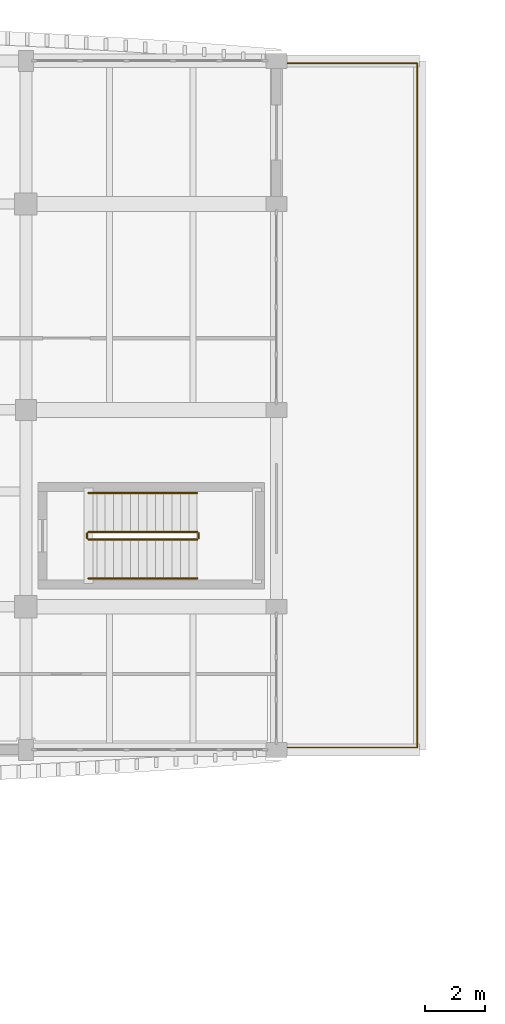
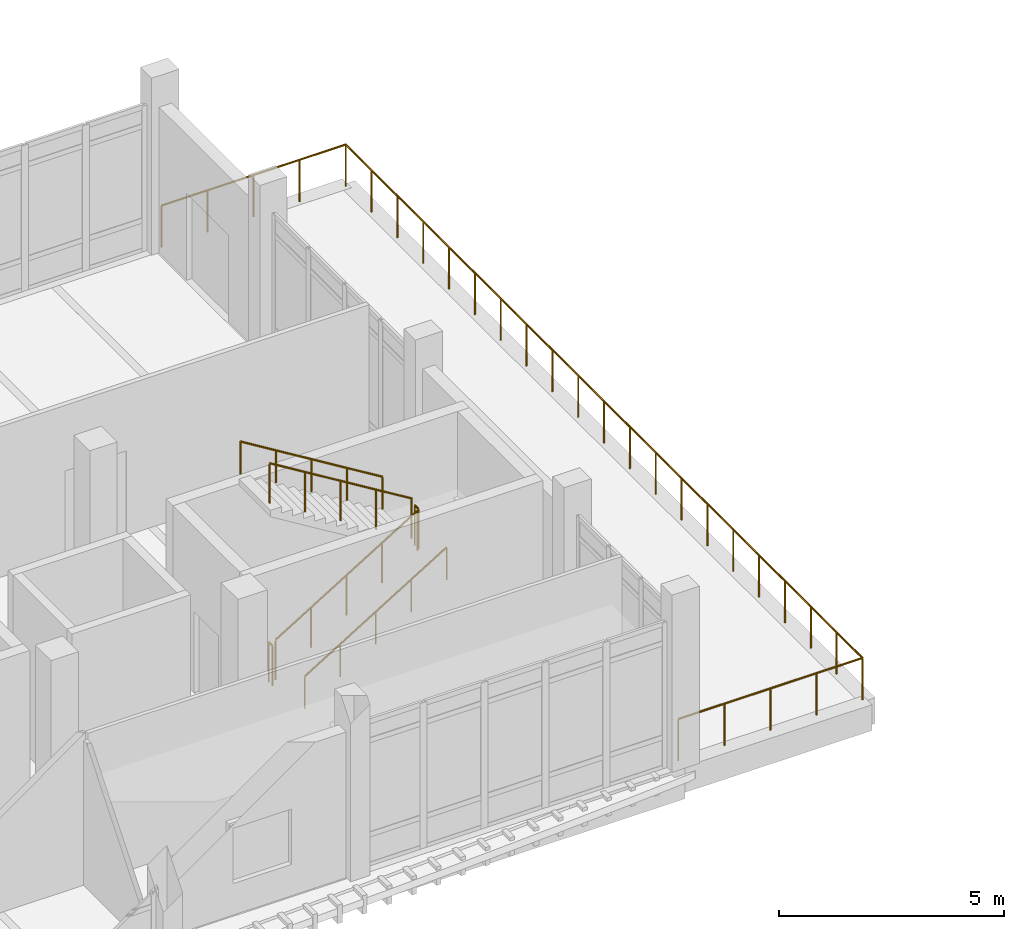
# One storey, part 38 of 50: 7 railings.
"""IFC4 building model written with IfcOpenShell, lengths in metres."""

from ifc_helpers import new_model, si_unit, direction, frame, origin, origin_2d, place, context, subcontext, project, spatial, circle, extrude, material, layer, layer_set, type_object, element, save


model = new_model("IFC4")

# Units and contexts
model_context = context("Model", 3, precision=1e-05, world=origin(), true_north=direction((0.0, 1.0)))
body_context = subcontext(model_context, "Body", "Model", "MODEL_VIEW")
ifc_project = project(units=[si_unit("LENGTHUNIT", "METRE"), si_unit("AREAUNIT", "SQUARE_METRE"), si_unit("VOLUMEUNIT", "CUBIC_METRE"), si_unit("PLANEANGLEUNIT", "RADIAN"), si_unit("MASSUNIT", "GRAM", prefix="KILO")], contexts=[model_context])

# Site, building, storey
site_placement = place(None, origin())
site = spatial("IfcSite", under=ifc_project, at=site_placement, CompositionType="ELEMENT")
building_placement = place(site_placement, origin())
building = spatial("IfcBuilding", under=site, at=building_placement, Name="Dornvale Research Institute", CompositionType="ELEMENT")
storey_placement = place(building_placement, frame((0.0, 0.0, 19.800048828125)))
storey = spatial("IfcBuildingStorey", under=building, at=storey_placement, Name="L04", CompositionType="ELEMENT", Elevation=19.800048828125)

# Railings
ifc_material_1 = material(Name="Galvanized Painted Tubular Steel Stair Rail", Category="steel")
ifc_layer_1 = layer(ifc_material_1, 0.050048828125)
ifc_layer_set_1 = layer_set([ifc_layer_1], Name="Galvanized Painted Tubular Steel Stair Rail")
railing_type_1 = type_object("IfcRailingType", Name="Railing_Stair_Guard_1100", PredefinedType="GUARDRAIL", material=ifc_layer_set_1)
railing_1_placement = place(storey_placement, frame((35.10009765625, 106.050048828125, 0.17138671875)))
element("IfcRailing", 1, at=railing_1_placement, inside=storey, type_object=railing_type_1, Name="L04 ST-2 stair guard 1", PredefinedType="GUARDRAIL", context=body_context, shape_type="SweptSolid", body=[
    extrude(circle(Radius=0.02392578125, at=origin_2d()), frame((0.0, 0.0, 1.076171875), z_axis=(0.852850264322, 0.0, 0.5221555579), x_axis=(0.0, 1.0, 0.0)), (0.0, 0.0, 1.0), 4.267822265625),
    extrude(circle(Radius=0.02099609375, at=origin_2d()), origin(), (0.0, 0.0, 1.0), 1.052001953125),
    extrude(circle(Radius=0.02099609375, at=origin_2d()), frame((0.909912109375, 0.0, 0.55712890625)), (0.0, 0.0, 1.0), 1.052001953125),
    extrude(circle(Radius=0.02099609375, at=origin_2d()), frame((1.81982421875, 0.0, 1.1142578125)), (0.0, 0.0, 1.0), 1.052001953125),
    extrude(circle(Radius=0.02099609375, at=origin_2d()), frame((2.72998046875, 0.0, 1.67138671875)), (0.0, 0.0, 1.0), 1.052001953125),
    extrude(circle(Radius=0.02099609375, at=origin_2d()), frame((3.639892578125, 0.0, 2.228515625)), (0.0, 0.0, 1.0), 1.052001953125),
])
railing_2_placement = place(storey_placement, frame((38.7900390625, 106.10009765625, 2.39990234375)))
element("IfcRailing", 2, at=railing_2_placement, inside=storey, type_object=railing_type_1, Name="L04 ST-2 stair guard 2", PredefinedType="GUARDRAIL", context=body_context, shape_type="SweptSolid", body=[
    extrude(circle(Radius=0.02392578125, at=origin_2d()), frame((0.0, 0.0, 1.076171875), z_axis=(0.0, 1.0, 0.0), x_axis=(-1.0, 0.0, 0.0)), (0.0, 0.0, 1.0), 0.159912109375),
    extrude(circle(Radius=0.02099609375, at=origin_2d()), origin(), (0.0, 0.0, 1.0), 1.052001953125),
    extrude(circle(Radius=0.02099609375, at=origin_2d()), frame((0.0, 0.159912109375, 0.0)), (0.0, 0.0, 1.0), 1.052001953125),
])
railing_3_placement = place(storey_placement, frame((38.739990234375, 106.31005859375, 2.5712890625)))
element("IfcRailing", 3, at=railing_3_placement, inside=storey, type_object=railing_type_1, Name="L04 ST-2 stair guard 3", PredefinedType="GUARDRAIL", context=body_context, shape_type="SweptSolid", body=[
    extrude(circle(Radius=0.02392578125, at=origin_2d()), frame((0.0, 0.0, 1.076171875), z_axis=(-0.852824790078, 0.0, 0.522197163366), x_axis=(0.0, -1.0, 0.0)), (0.0, 0.0, 1.0), 4.26806640625),
    extrude(circle(Radius=0.02099609375, at=origin_2d()), origin(), (0.0, 0.0, 1.0), 1.052001953125),
    extrude(circle(Radius=0.02099609375, at=origin_2d()), frame((-0.909912109375, 0.0, 0.55712890625)), (0.0, 0.0, 1.0), 1.052001953125),
    extrude(circle(Radius=0.02099609375, at=origin_2d()), frame((-1.81982421875, 0.0, 1.1142578125)), (0.0, 0.0, 1.0), 1.052001953125),
    extrude(circle(Radius=0.02099609375, at=origin_2d()), frame((-2.72998046875, 0.0, 1.671630859375)), (0.0, 0.0, 1.0), 1.052001953125),
    extrude(circle(Radius=0.02099609375, at=origin_2d()), frame((-3.639892578125, 0.0, 2.228759765625)), (0.0, 0.0, 1.0), 1.052001953125),
])
railing_4_placement = place(storey_placement, frame((35.050048828125, 106.10009765625, 0.0)))
element("IfcRailing", 4, at=railing_4_placement, inside=storey, type_object=railing_type_1, Name="L04 ST-2 stair guard 4", PredefinedType="GUARDRAIL", context=body_context, shape_type="SweptSolid", body=[
    extrude(circle(Radius=0.02392578125, at=origin_2d()), frame((0.0, 0.0, 1.076171875), z_axis=(0.0, 1.0, 0.0), x_axis=(-1.0, 0.0, 0.0)), (0.0, 0.0, 1.0), 0.159912109375),
    extrude(circle(Radius=0.02099609375, at=origin_2d()), origin(), (0.0, 0.0, 1.0), 1.052001953125),
    extrude(circle(Radius=0.02099609375, at=origin_2d()), frame((0.0, 0.159912109375, 0.0)), (0.0, 0.0, 1.0), 1.052001953125),
])
ifc_material_2 = material(Name="Galvanized Painted Tubular Steel Stair Rail", Category="steel")
ifc_layer_2 = layer(ifc_material_2, 0.044921875)
ifc_layer_set_2 = layer_set([ifc_layer_2], Name="Galvanized Painted Tubular Steel Stair Rail")
railing_type_2 = type_object("IfcRailingType", Name="Railing_Stair_Handrail_900", PredefinedType="HANDRAIL", material=ifc_layer_set_2)
railing_5_placement = place(storey_placement, frame((35.10009765625, 104.75, 0.17138671875)))
element("IfcRailing", 5, at=railing_5_placement, inside=storey, type_object=railing_type_2, Name="L04 ST-2 stair handrail 1", PredefinedType="HANDRAIL", context=body_context, shape_type="SweptSolid", body=[
    extrude(circle(Radius=0.02392578125, at=origin_2d()), frame((0.0, 0.0, 0.8759765625), z_axis=(0.852850264322, 0.0, 0.5221555579), x_axis=(0.0, 1.0, 0.0)), (0.0, 0.0, 1.0), 4.267822265625),
    extrude(circle(Radius=0.02099609375, at=origin_2d()), origin(), (0.0, 0.0, 1.0), 0.851806640625),
    extrude(circle(Radius=0.02099609375, at=origin_2d()), frame((0.909912109375, 0.0, 0.55712890625)), (0.0, 0.0, 1.0), 0.851806640625),
    extrude(circle(Radius=0.02099609375, at=origin_2d()), frame((1.81982421875, 0.0, 1.1142578125)), (0.0, 0.0, 1.0), 0.851806640625),
    extrude(circle(Radius=0.02099609375, at=origin_2d()), frame((2.72998046875, 0.0, 1.67138671875)), (0.0, 0.0, 1.0), 0.851806640625),
    extrude(circle(Radius=0.02099609375, at=origin_2d()), frame((3.639892578125, 0.0, 2.228515625)), (0.0, 0.0, 1.0), 0.851806640625),
])
railing_6_placement = place(storey_placement, frame((38.739990234375, 107.610107421875, 2.5712890625)))
element("IfcRailing", 6, at=railing_6_placement, inside=storey, type_object=railing_type_2, Name="L04 ST-2 stair handrail 2", PredefinedType="HANDRAIL", context=body_context, shape_type="SweptSolid", body=[
    extrude(circle(Radius=0.02392578125, at=origin_2d()), frame((0.0, 0.0, 0.8759765625), z_axis=(-0.852824790078, 0.0, 0.522197163366), x_axis=(0.0, -1.0, 0.0)), (0.0, 0.0, 1.0), 4.26806640625),
    extrude(circle(Radius=0.02099609375, at=origin_2d()), origin(), (0.0, 0.0, 1.0), 0.851806640625),
    extrude(circle(Radius=0.02099609375, at=origin_2d()), frame((-0.909912109375, 0.0, 0.55712890625)), (0.0, 0.0, 1.0), 0.851806640625),
    extrude(circle(Radius=0.02099609375, at=origin_2d()), frame((-1.81982421875, 0.0, 1.1142578125)), (0.0, 0.0, 1.0), 0.851806640625),
    extrude(circle(Radius=0.02099609375, at=origin_2d()), frame((-2.72998046875, 0.0, 1.671630859375)), (0.0, 0.0, 1.0), 0.851806640625),
    extrude(circle(Radius=0.02099609375, at=origin_2d()), frame((-3.639892578125, 0.0, 2.228759765625)), (0.0, 0.0, 1.0), 0.851806640625),
])
ifc_material_3 = material(Name="Architectural Bronze-Anodized Steel Balustrade", Category="steel")
ifc_layer_3 = layer(ifc_material_3, 0.06005859375)
ifc_layer_set_3 = layer_set([ifc_layer_3], Name="Architectural Bronze-Anodized Steel Balustrade")
railing_type_3 = type_object("IfcRailingType", Name="Railing_Terrace_Guard_1150", PredefinedType="GUARDRAIL", material=ifc_layer_set_3)
railing_7_placement = place(storey_placement, frame((41.39990234375, 99.080078125, 0.0)))
element("IfcRailing", 7, at=railing_7_placement, inside=storey, type_object=railing_type_3, Name="L04 outdoor terrace guard GR-01 #1", PredefinedType="GUARDRAIL", context=body_context, shape_type="SweptSolid", body=[
    extrude(circle(Radius=0.02392578125, at=origin_2d()), frame((0.0, 0.0, 1.1259765625), z_axis=(1.0, 0.0, 0.0), x_axis=(0.0, 1.0, 0.0)), (0.0, 0.0, 1.0), 4.72021484375),
    extrude(circle(Radius=0.02392578125, at=origin_2d()), frame((4.72021484375, 0.0, 1.1259765625), z_axis=(0.0, 1.0, 0.0), x_axis=(-1.0, 0.0, 0.0)), (0.0, 0.0, 1.0), 22.93994140625),
    extrude(circle(Radius=0.02392578125, at=origin_2d()), frame((4.72021484375, 22.93994140625, 1.1259765625), z_axis=(-1.0, 0.0, 0.0), x_axis=(0.0, -1.0, 0.0)), (0.0, 0.0, 1.0), 4.72021484375),
    extrude(circle(Radius=0.02099609375, at=origin_2d()), origin(), (0.0, 0.0, 1.0), 1.101806640625),
    extrude(circle(Radius=0.02099609375, at=origin_2d()), frame((1.18017578125, 0.0, 0.0)), (0.0, 0.0, 1.0), 1.101806640625),
    extrude(circle(Radius=0.02099609375, at=origin_2d()), frame((2.360107421875, 0.0, 0.0)), (0.0, 0.0, 1.0), 1.101806640625),
    extrude(circle(Radius=0.02099609375, at=origin_2d()), frame((3.5400390625, 0.0, 0.0)), (0.0, 0.0, 1.0), 1.101806640625),
    extrude(circle(Radius=0.02099609375, at=origin_2d()), frame((4.72021484375, 0.0, 0.0)), (0.0, 0.0, 1.0), 1.101806640625),
    extrude(circle(Radius=0.02099609375, at=origin_2d()), frame((4.72021484375, 1.14697265625, 0.0)), (0.0, 0.0, 1.0), 1.101806640625),
    extrude(circle(Radius=0.02099609375, at=origin_2d()), frame((4.72021484375, 2.2939453125, 0.0)), (0.0, 0.0, 1.0), 1.101806640625),
    extrude(circle(Radius=0.02099609375, at=origin_2d()), frame((4.72021484375, 3.44091796875, 0.0)), (0.0, 0.0, 1.0), 1.101806640625),
    extrude(circle(Radius=0.02099609375, at=origin_2d()), frame((4.72021484375, 4.587890625, 0.0)), (0.0, 0.0, 1.0), 1.101806640625),
    extrude(circle(Radius=0.02099609375, at=origin_2d()), frame((4.72021484375, 5.73486328125, 0.0)), (0.0, 0.0, 1.0), 1.101806640625),
    extrude(circle(Radius=0.02099609375, at=origin_2d()), frame((4.72021484375, 6.882080078125, 0.0)), (0.0, 0.0, 1.0), 1.101806640625),
    extrude(circle(Radius=0.02099609375, at=origin_2d()), frame((4.72021484375, 8.029052734375, 0.0)), (0.0, 0.0, 1.0), 1.101806640625),
    extrude(circle(Radius=0.02099609375, at=origin_2d()), frame((4.72021484375, 9.176025390625, 0.0)), (0.0, 0.0, 1.0), 1.101806640625),
    extrude(circle(Radius=0.02099609375, at=origin_2d()), frame((4.72021484375, 10.322998046875, 0.0)), (0.0, 0.0, 1.0), 1.101806640625),
    extrude(circle(Radius=0.02099609375, at=origin_2d()), frame((4.72021484375, 11.469970703125, 0.0)), (0.0, 0.0, 1.0), 1.101806640625),
    extrude(circle(Radius=0.02099609375, at=origin_2d()), frame((4.72021484375, 12.616943359375, 0.0)), (0.0, 0.0, 1.0), 1.101806640625),
    extrude(circle(Radius=0.02099609375, at=origin_2d()), frame((4.72021484375, 13.763916015625, 0.0)), (0.0, 0.0, 1.0), 1.101806640625),
    extrude(circle(Radius=0.02099609375, at=origin_2d()), frame((4.72021484375, 14.910888671875, 0.0)), (0.0, 0.0, 1.0), 1.101806640625),
    extrude(circle(Radius=0.02099609375, at=origin_2d()), frame((4.72021484375, 16.057861328125, 0.0)), (0.0, 0.0, 1.0), 1.101806640625),
    extrude(circle(Radius=0.02099609375, at=origin_2d()), frame((4.72021484375, 17.205078125, 0.0)), (0.0, 0.0, 1.0), 1.101806640625),
    extrude(circle(Radius=0.02099609375, at=origin_2d()), frame((4.72021484375, 18.35205078125, 0.0)), (0.0, 0.0, 1.0), 1.101806640625),
    extrude(circle(Radius=0.02099609375, at=origin_2d()), frame((4.72021484375, 19.4990234375, 0.0)), (0.0, 0.0, 1.0), 1.101806640625),
    extrude(circle(Radius=0.02099609375, at=origin_2d()), frame((4.72021484375, 20.64599609375, 0.0)), (0.0, 0.0, 1.0), 1.101806640625),
    extrude(circle(Radius=0.02099609375, at=origin_2d()), frame((4.72021484375, 21.79296875, 0.0)), (0.0, 0.0, 1.0), 1.101806640625),
    extrude(circle(Radius=0.02099609375, at=origin_2d()), frame((4.72021484375, 22.93994140625, 0.0)), (0.0, 0.0, 1.0), 1.101806640625),
    extrude(circle(Radius=0.02099609375, at=origin_2d()), frame((3.5400390625, 22.93994140625, 0.0)), (0.0, 0.0, 1.0), 1.101806640625),
    extrude(circle(Radius=0.02099609375, at=origin_2d()), frame((2.360107421875, 22.93994140625, 0.0)), (0.0, 0.0, 1.0), 1.101806640625),
    extrude(circle(Radius=0.02099609375, at=origin_2d()), frame((1.18017578125, 22.93994140625, 0.0)), (0.0, 0.0, 1.0), 1.101806640625),
    extrude(circle(Radius=0.02099609375, at=origin_2d()), frame((0.0, 22.93994140625, 0.0)), (0.0, 0.0, 1.0), 1.101806640625),
])

save(model, "model.ifc")
